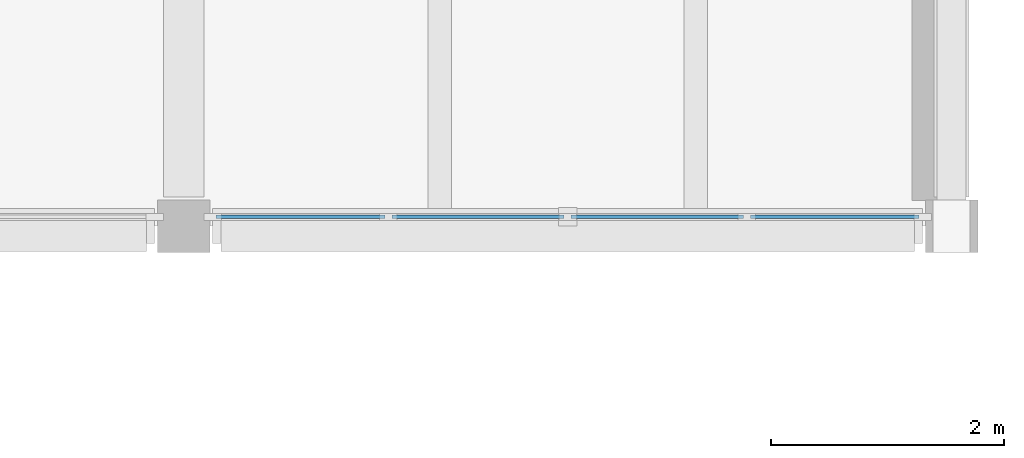
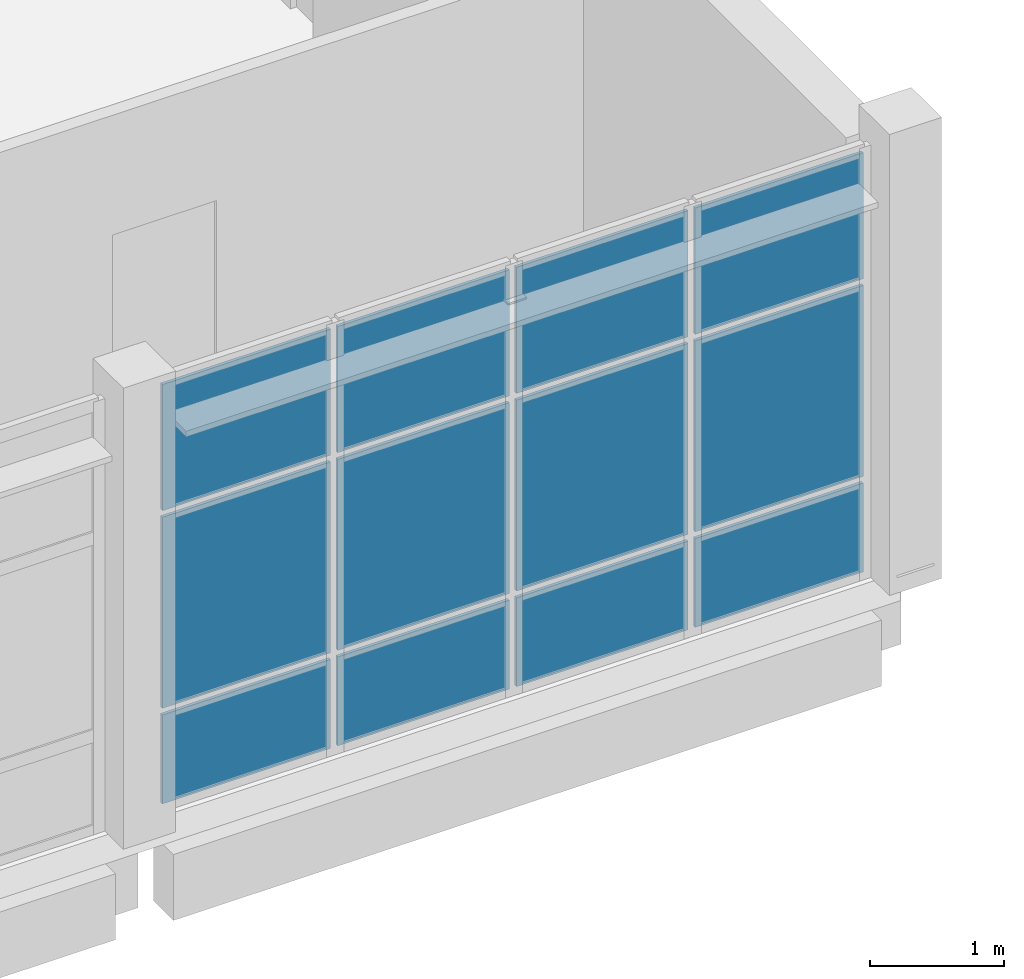
# One storey, part 43 of 74: 12 plates, 1 element without a shape of its own.
"""IFC4 building model written with IfcOpenShell, lengths in metres."""

from ifc_helpers import new_model, si_unit, direction, frame, origin, origin_2d, place, context, subcontext, project, spatial, rectangle, extrude, material, layer, layer_set, type_object, element, aggregate, save


model = new_model("IFC4")

# Units and contexts
model_context = context("Model", 3, precision=1e-05, world=origin(), true_north=direction((0.0, 1.0)))
body_context = subcontext(model_context, "Body", "Model", "MODEL_VIEW")
ifc_project = project(units=[si_unit("LENGTHUNIT", "METRE"), si_unit("AREAUNIT", "SQUARE_METRE"), si_unit("VOLUMEUNIT", "CUBIC_METRE"), si_unit("PLANEANGLEUNIT", "RADIAN"), si_unit("MASSUNIT", "GRAM", prefix="KILO")], contexts=[model_context])

# Site, building, storey
site_placement = place(None, origin())
site = spatial("IfcSite", under=ifc_project, at=site_placement, CompositionType="ELEMENT")
building_placement = place(site_placement, origin())
building = spatial("IfcBuilding", under=site, at=building_placement, Name="Qaldarim Faculty of Natural and Applied Sciences", CompositionType="ELEMENT")
storey_placement = place(building_placement, frame((0.0, 0.0, 14.39990234375)))
storey = spatial("IfcBuildingStorey", under=building, at=storey_placement, Name="L03", CompositionType="ELEMENT", Elevation=14.39990234375)

# Curtain wall, plates
ifc_material_1 = material(Name="Anodised aluminium AW-6063", Category="aluminium")
curtain_wall_type = type_object("IfcCurtainWallType", Name="CurtainWallSystem-M1600", PredefinedType="USERDEFINED", material=ifc_material_1)
curtain_wall_placement = place(storey_placement, origin())
curtain_wall = element("IfcCurtainWall", 1, at=curtain_wall_placement, inside=storey, type_object=curtain_wall_type, Name="Curtain wall CW-L03-S-X27Y13", ObjectType="UNITISED FACADE", PredefinedType="USERDEFINED")
ifc_material_2 = material(Name="Insulated low-e double glazing", Category="glass")
ifc_layer = layer(ifc_material_2, 0.028076171875)
ifc_layer_set = layer_set([ifc_layer], Name="Insulated low-e double glazing")
plate_type = type_object("IfcPlateType", Name="VisionGlazingPanel-28", PredefinedType="CURTAIN_PANEL", material=ifc_layer_set)
plate_1_placement = place(storey_placement, frame((172.60498046875, 100.8798828125, 0.06005859375), z_axis=(0.0, 0.0, 1.0), x_axis=(1.0, 0.0, 0.0)))
plate_1 = element("IfcPlate", 2, at=plate_1_placement, type_object=plate_type, Name="Glazed panel 1-1 of CW-L03-S-X27Y13", PredefinedType="CURTAIN_PANEL", context=body_context, shape_type="SweptSolid", body=[
    extrude(rectangle(XDim=1.449951171875, YDim=0.028076171875, at=origin_2d()), origin(), (0.0, 0.0, 1.0), 0.81005859375),
])
plate_2_placement = place(storey_placement, frame((172.60498046875, 100.8798828125, 0.93017578125), z_axis=(0.0, 0.0, 1.0), x_axis=(1.0, 0.0, 0.0)))
plate_2 = element("IfcPlate", 3, at=plate_2_placement, type_object=plate_type, Name="Glazed panel 1-2 of CW-L03-S-X27Y13", PredefinedType="CURTAIN_PANEL", context=body_context, shape_type="SweptSolid", body=[
    extrude(rectangle(XDim=1.449951171875, YDim=0.028076171875, at=origin_2d()), origin(), (0.0, 0.0, 1.0), 1.739990234375),
])
plate_3_placement = place(storey_placement, frame((172.60498046875, 100.8798828125, 2.730224609375), z_axis=(0.0, 0.0, 1.0), x_axis=(1.0, 0.0, 0.0)))
plate_3 = element("IfcPlate", 4, at=plate_3_placement, type_object=plate_type, Name="Glazed panel 1-3 of CW-L03-S-X27Y13", PredefinedType="CURTAIN_PANEL", context=body_context, shape_type="SweptSolid", body=[
    extrude(rectangle(XDim=1.449951171875, YDim=0.028076171875, at=origin_2d()), origin(), (0.0, 0.0, 1.0), 1.14990234375),
])
plate_4_placement = place(storey_placement, frame((174.1298828125, 100.8798828125, 0.06005859375), z_axis=(0.0, 0.0, 1.0), x_axis=(1.0, 0.0, 0.0)))
plate_4 = element("IfcPlate", 5, at=plate_4_placement, type_object=plate_type, Name="Glazed panel 2-1 of CW-L03-S-X27Y13", PredefinedType="CURTAIN_PANEL", context=body_context, shape_type="SweptSolid", body=[
    extrude(rectangle(XDim=1.47998046875, YDim=0.028076171875, at=origin_2d()), origin(), (0.0, 0.0, 1.0), 0.81005859375),
])
plate_5_placement = place(storey_placement, frame((174.1298828125, 100.8798828125, 0.93017578125), z_axis=(0.0, 0.0, 1.0), x_axis=(1.0, 0.0, 0.0)))
plate_5 = element("IfcPlate", 6, at=plate_5_placement, type_object=plate_type, Name="Glazed panel 2-2 of CW-L03-S-X27Y13", PredefinedType="CURTAIN_PANEL", context=body_context, shape_type="SweptSolid", body=[
    extrude(rectangle(XDim=1.47998046875, YDim=0.028076171875, at=origin_2d()), origin(), (0.0, 0.0, 1.0), 1.739990234375),
])
plate_6_placement = place(storey_placement, frame((174.1298828125, 100.8798828125, 2.730224609375), z_axis=(0.0, 0.0, 1.0), x_axis=(1.0, 0.0, 0.0)))
plate_6 = element("IfcPlate", 7, at=plate_6_placement, type_object=plate_type, Name="Glazed panel 2-3 of CW-L03-S-X27Y13", PredefinedType="CURTAIN_PANEL", context=body_context, shape_type="SweptSolid", body=[
    extrude(rectangle(XDim=1.47998046875, YDim=0.028076171875, at=origin_2d()), origin(), (0.0, 0.0, 1.0), 1.14990234375),
])
plate_7_placement = place(storey_placement, frame((175.669921875, 100.8798828125, 0.06005859375), z_axis=(0.0, 0.0, 1.0), x_axis=(1.0, 0.0, 0.0)))
plate_7 = element("IfcPlate", 8, at=plate_7_placement, type_object=plate_type, Name="Glazed panel 3-1 of CW-L03-S-X27Y13", PredefinedType="CURTAIN_PANEL", context=body_context, shape_type="SweptSolid", body=[
    extrude(rectangle(XDim=1.47998046875, YDim=0.028076171875, at=origin_2d()), origin(), (0.0, 0.0, 1.0), 0.81005859375),
])
plate_8_placement = place(storey_placement, frame((175.669921875, 100.8798828125, 0.93017578125), z_axis=(0.0, 0.0, 1.0), x_axis=(1.0, 0.0, 0.0)))
plate_8 = element("IfcPlate", 9, at=plate_8_placement, type_object=plate_type, Name="Glazed panel 3-2 of CW-L03-S-X27Y13", PredefinedType="CURTAIN_PANEL", context=body_context, shape_type="SweptSolid", body=[
    extrude(rectangle(XDim=1.47998046875, YDim=0.028076171875, at=origin_2d()), origin(), (0.0, 0.0, 1.0), 1.739990234375),
])
plate_9_placement = place(storey_placement, frame((175.669921875, 100.8798828125, 2.730224609375), z_axis=(0.0, 0.0, 1.0), x_axis=(1.0, 0.0, 0.0)))
plate_9 = element("IfcPlate", 10, at=plate_9_placement, type_object=plate_type, Name="Glazed panel 3-3 of CW-L03-S-X27Y13", PredefinedType="CURTAIN_PANEL", context=body_context, shape_type="SweptSolid", body=[
    extrude(rectangle(XDim=1.47998046875, YDim=0.028076171875, at=origin_2d()), origin(), (0.0, 0.0, 1.0), 1.14990234375),
])
plate_10_placement = place(storey_placement, frame((177.195068359375, 100.8798828125, 0.06005859375), z_axis=(0.0, 0.0, 1.0), x_axis=(1.0, 0.0, 0.0)))
plate_10 = element("IfcPlate", 11, at=plate_10_placement, type_object=plate_type, Name="Glazed panel 4-1 of CW-L03-S-X27Y13", PredefinedType="CURTAIN_PANEL", context=body_context, shape_type="SweptSolid", body=[
    extrude(rectangle(XDim=1.449951171875, YDim=0.028076171875, at=origin_2d()), origin(), (0.0, 0.0, 1.0), 0.81005859375),
])
plate_11_placement = place(storey_placement, frame((177.195068359375, 100.8798828125, 0.93017578125), z_axis=(0.0, 0.0, 1.0), x_axis=(1.0, 0.0, 0.0)))
plate_11 = element("IfcPlate", 12, at=plate_11_placement, type_object=plate_type, Name="Glazed panel 4-2 of CW-L03-S-X27Y13", PredefinedType="CURTAIN_PANEL", context=body_context, shape_type="SweptSolid", body=[
    extrude(rectangle(XDim=1.449951171875, YDim=0.028076171875, at=origin_2d()), origin(), (0.0, 0.0, 1.0), 1.739990234375),
])
plate_12_placement = place(storey_placement, frame((177.195068359375, 100.8798828125, 2.730224609375), z_axis=(0.0, 0.0, 1.0), x_axis=(1.0, 0.0, 0.0)))
plate_12 = element("IfcPlate", 13, at=plate_12_placement, type_object=plate_type, Name="Glazed panel 4-3 of CW-L03-S-X27Y13", PredefinedType="CURTAIN_PANEL", context=body_context, shape_type="SweptSolid", body=[
    extrude(rectangle(XDim=1.449951171875, YDim=0.028076171875, at=origin_2d()), origin(), (0.0, 0.0, 1.0), 1.14990234375),
])
aggregate(curtain_wall, [plate_1, plate_2, plate_3, plate_4, plate_5, plate_6, plate_7, plate_8, plate_9, plate_10, plate_11, plate_12])

save(model, "model.ifc")
